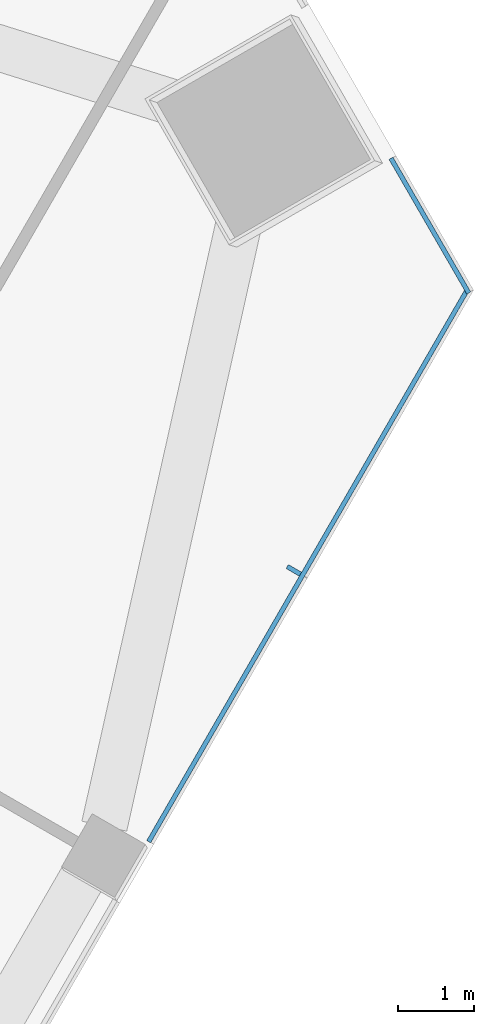
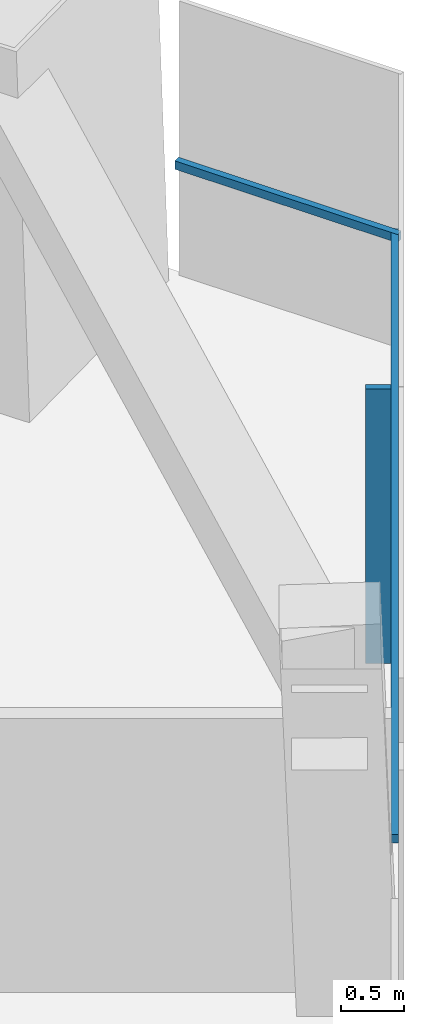
# One storey, part 7 of 13: 3 members, 2 elements without a shape of their own.
"""IFC4 building model written with IfcOpenShell, lengths in metres."""

from ifc_helpers import new_model, si_unit, direction, frame, origin, origin_2d, place, context, subcontext, project, spatial, rectangle, extrude, material, layer, layer_set, material_profile, profile_set, type_object, element, aggregate, save


model = new_model("IFC4")

# Units and contexts
model_context = context("Model", 3, precision=1e-05, world=origin(), true_north=direction((0.0, 1.0)))
body_context = subcontext(model_context, "Body", "Model", "MODEL_VIEW")
ifc_project = project(units=[si_unit("LENGTHUNIT", "METRE"), si_unit("AREAUNIT", "SQUARE_METRE"), si_unit("VOLUMEUNIT", "CUBIC_METRE"), si_unit("PLANEANGLEUNIT", "RADIAN"), si_unit("MASSUNIT", "GRAM", prefix="KILO")], contexts=[model_context])

# Site, building, storey
site_placement = place(None, origin())
site = spatial("IfcSite", under=ifc_project, at=site_placement, CompositionType="ELEMENT")
building_placement = place(site_placement, origin())
building = spatial("IfcBuilding", under=site, at=building_placement, Name="Altiplano Prism Tower", CompositionType="ELEMENT")
storey_placement = place(building_placement, frame((0.0, 0.0, 201.60009765625)))
storey = spatial("IfcBuildingStorey", under=building, at=storey_placement, Name="L52", CompositionType="ELEMENT", Elevation=201.60009765625)

# Curtain wall, members
ifc_material_1 = material(Name="Aluminium and glass", Category="aluminium")
ifc_layer = layer(ifc_material_1, 0.303955078125)
ifc_layer_set = layer_set([ifc_layer], Name="Aluminium and glass")
curtain_wall_type = type_object("IfcCurtainWallType", Name="CW2 lounge-band unitised glazing", PredefinedType="NOTDEFINED", material=ifc_layer_set)
curtain_wall_1_placement = place(storey_placement, origin())
curtain_wall_1 = element("IfcCurtainWall", 1, at=curtain_wall_1_placement, inside=storey, type_object=curtain_wall_type, Name="CW2 curtain wall south-east face L52", PredefinedType="NOTDEFINED")
ifc_material_2 = material(Name="Aluminium", Category="aluminium")
ifc_material_profile_1 = material_profile(ifc_material_2, rectangle(XDim=0.199951171875, YDim=0.06005859375, at=origin_2d()), Name="CW2 mullion 60 x 200")
ifc_profile_set_1 = profile_set([ifc_material_profile_1], Name="Aluminium")
member_type_1 = type_object("IfcMemberType", Name="CW2 mullion 60 x 200", PredefinedType="MULLION", material=ifc_profile_set_1)
member_1_placement = place(storey_placement, frame((108.13037109375, 95.909912109375, 0.0), z_axis=(0.0, 0.0, 1.0), x_axis=(-0.866025408017, 0.499999992669, 0.0)))
member_1 = element("IfcMember", 2, at=member_1_placement, type_object=member_type_1, Name="CW2 mullion", PredefinedType="MULLION", context=body_context, shape_type="SweptSolid", body=[
    extrude(rectangle(XDim=0.199951171875, YDim=0.06005859375, at=origin_2d()), origin(), (0.0, 0.0, 1.0), 2.64990234375),
])
ifc_material_profile_2 = material_profile(ifc_material_2, rectangle(XDim=0.06005859375, YDim=0.080078125, at=origin_2d()), Name="CW2 transom 80 x 60")
ifc_profile_set_2 = profile_set([ifc_material_profile_2], Name="Aluminium")
member_type_2 = type_object("IfcMemberType", Name="CW2 transom 80 x 60", PredefinedType="USERDEFINED", material=ifc_profile_set_2)
member_2_placement = place(storey_placement, frame((106.232666015625, 92.363037109375, 1.099853515625), z_axis=(0.500001954328, 0.866024275449, 0.0), x_axis=(-0.866024275449, 0.500001954328, 0.0)))
member_2 = element("IfcMember", 3, at=member_2_placement, type_object=member_type_2, Name="CW2 transom", ObjectType="TRANSOM", PredefinedType="USERDEFINED", context=body_context, shape_type="SweptSolid", body=[
    extrude(rectangle(XDim=0.06005859375, YDim=0.080078125, at=origin_2d()), origin(), (0.0, 0.0, 1.0), 8.36767578125),
])
aggregate(curtain_wall_1, [member_1, member_2])

# Curtain wall, member
curtain_wall_2_placement = place(storey_placement, origin())
curtain_wall_2 = element("IfcCurtainWall", 4, at=curtain_wall_2_placement, inside=storey, type_object=curtain_wall_type, Name="CW2 curtain wall north-east chamfer L52", PredefinedType="NOTDEFINED")
member_3_placement = place(storey_placement, frame((110.41650390625, 99.53564453125, 1.099853515625), z_axis=(-0.500051550797, 0.865995638872, 0.0), x_axis=(-0.865995638872, -0.500051550797, 0.0)))
member_3 = element("IfcMember", 5, at=member_3_placement, type_object=member_type_2, Name="CW2 transom", ObjectType="TRANSOM", PredefinedType="USERDEFINED", context=body_context, shape_type="SweptSolid", body=[
    extrude(rectangle(XDim=0.06005859375, YDim=0.080078125, at=origin_2d()), origin(), (0.0, 0.0, 1.0), 2.033447265625),
])
aggregate(curtain_wall_2, [member_3])

save(model, "model.ifc")
